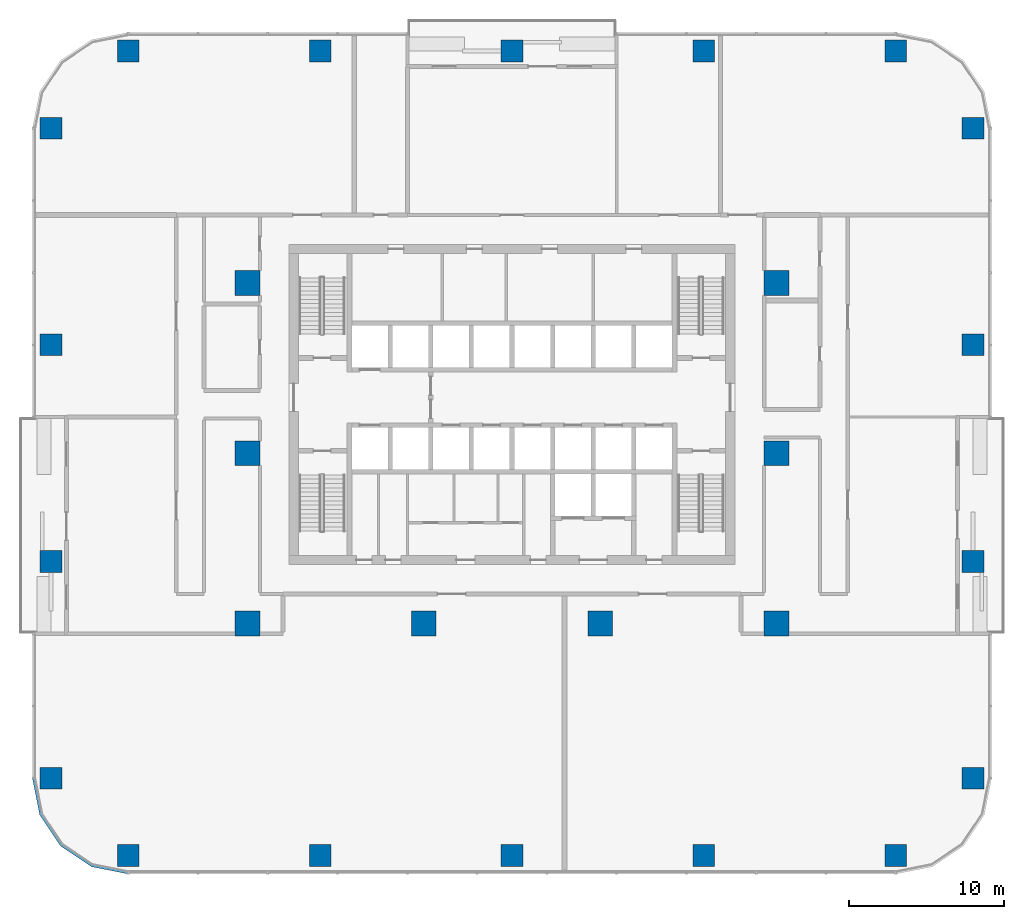
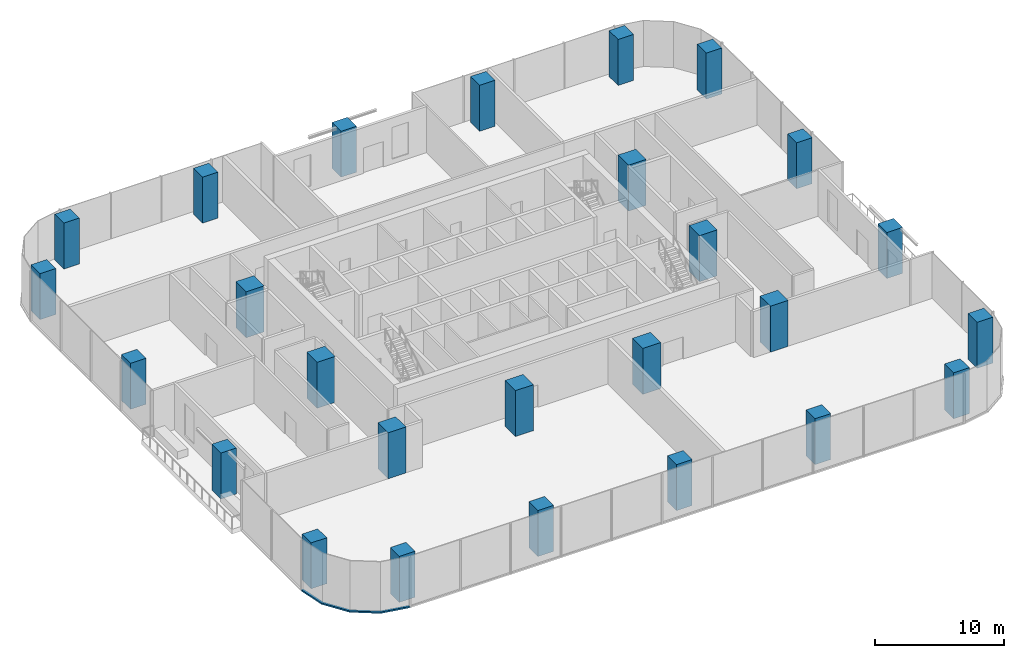
# One storey, part 1 of 14: 26 columns, 1 member, 1 element without a shape of its own.
"""IFC4 building model written with IfcOpenShell, lengths in metres."""

from ifc_helpers import new_model, si_unit, direction, frame, origin, origin_2d, place, context, subcontext, project, spatial, polyline, rectangle, outline, extrude, material, material_profile, profile_set, type_object, element, aggregate, save


model = new_model("IFC4")

# Units and contexts
model_context = context("Model", 3, precision=1e-05, world=origin(), true_north=direction((0.0, 1.0)))
body_context = subcontext(model_context, "Body", "Model", "MODEL_VIEW")
ifc_project = project(units=[si_unit("LENGTHUNIT", "METRE"), si_unit("AREAUNIT", "SQUARE_METRE"), si_unit("VOLUMEUNIT", "CUBIC_METRE"), si_unit("PLANEANGLEUNIT", "RADIAN"), si_unit("MASSUNIT", "GRAM", prefix="KILO")], contexts=[model_context])

# Site, building, storey
site_placement = place(None, origin())
site = spatial("IfcSite", under=ifc_project, at=site_placement, CompositionType="ELEMENT")
building_placement = place(site_placement, origin())
building = spatial("IfcBuilding", under=site, at=building_placement, Name="Mopane Tessera Tower", CompositionType="ELEMENT")
storey_placement = place(building_placement, frame((0.0, 0.0, 35.800048828125)))
storey = spatial("IfcBuildingStorey", under=building, at=storey_placement, Name="L06", CompositionType="ELEMENT", Elevation=35.800048828125)

# Columns
ifc_material_1 = material(Name="Concrete C60/75", Category="concrete")
ifc_material_profile_1 = material_profile(ifc_material_1, rectangle(XDim=1.60009765625, YDim=1.60009765625, at=origin_2d()))
ifc_profile_set_1 = profile_set([ifc_material_profile_1], Name="Concrete C60/75")
column_type_1 = type_object("IfcColumnType", Name="Interior column 1600 x 1600 C60/75", PredefinedType="COLUMN", material=ifc_profile_set_1)
for number, where, z_axis, x_axis, name in (
    (1, (-17.10009765625, -11.0, 0.0), (0.0, 0.0, 1.0), (1.0, 0.0, 0.0), "Interior column I1A L06"),
    (2, (-17.10009765625, 0.0, 0.0), (0.0, 0.0, 1.0), (1.0, 0.0, 0.0), "Interior column I1B L06"),
    (3, (-17.10009765625, 11.0, 0.0), (0.0, 0.0, 1.0), (1.0, 0.0, 0.0), "Interior column I1C L06"),
    (4, (-5.699951171875, -11.0, 0.0), (0.0, 0.0, 1.0), (1.0, 0.0, 0.0), "Interior column I2A L06"),
    (5, (5.699951171875, -11.0, 0.0), (0.0, 0.0, 1.0), (1.0, 0.0, 0.0), "Interior column I3A L06"),
    (6, (17.10009765625, -11.0, 0.0), (0.0, 0.0, 1.0), (1.0, 0.0, 0.0), "Interior column I4A L06"),
    (7, (17.10009765625, 0.0, 0.0), (0.0, 0.0, 1.0), (1.0, 0.0, 0.0), "Interior column I4B L06"),
    (8, (17.10009765625, 11.0, 0.0), (0.0, 0.0, 1.0), (1.0, 0.0, 0.0), "Interior column I4C L06"),
):
    element("IfcColumn", number, at=place(storey_placement, frame(where, z_axis=z_axis, x_axis=x_axis)), inside=storey, type_object=column_type_1, Name=name, PredefinedType="COLUMN", context=body_context, shape_type="SweptSolid", body=[
        extrude(rectangle(XDim=1.60009765625, YDim=1.60009765625, at=origin_2d()), origin(), (0.0, 0.0, 1.0), 4.349853515625),
    ])
ifc_material_2 = material(Name="Concrete C60/75", Category="concrete")
ifc_material_profile_2 = material_profile(ifc_material_2, rectangle(XDim=1.39990234375, YDim=1.39990234375, at=origin_2d()))
ifc_profile_set_2 = profile_set([ifc_material_profile_2], Name="Concrete C60/75")
column_type_2 = type_object("IfcColumnType", Name="Ring column 1400 x 1400 C60/75", PredefinedType="COLUMN", material=ifc_profile_set_2)
for number, where, z_axis, x_axis, name in (
    (9, (-24.800048828125, -26.0, 0.0), (0.0, 0.0, 1.0), (1.0, 0.0, 0.0), "Ring column S0 L06"),
    (10, (-12.39990234375, -26.0, 0.0), (0.0, 0.0, 1.0), (1.0, 0.0, 0.0), "Ring column S1 L06"),
    (11, (0.0, -26.0, 0.0), (0.0, 0.0, 1.0), (1.0, 0.0, 0.0), "Ring column S2 L06"),
    (12, (12.39990234375, -26.0, 0.0), (0.0, 0.0, 1.0), (1.0, 0.0, 0.0), "Ring column S3 L06"),
    (13, (24.800048828125, -26.0, 0.0), (0.0, 0.0, 1.0), (1.0, 0.0, 0.0), "Ring column S4 L06"),
    (14, (29.800048828125, -21.0, 0.0), (0.0, 0.0, 1.0), (1.0, 0.0, 0.0), "Ring column E0 L06"),
    (15, (29.800048828125, -7.0, 0.0), (0.0, 0.0, 1.0), (1.0, 0.0, 0.0), "Ring column E1 L06"),
    (16, (29.800048828125, 7.0, 0.0), (0.0, 0.0, 1.0), (1.0, 0.0, 0.0), "Ring column E2 L06"),
    (17, (29.800048828125, 21.0, 0.0), (0.0, 0.0, 1.0), (1.0, 0.0, 0.0), "Ring column E3 L06"),
    (18, (24.800048828125, 26.0, 0.0), (0.0, 0.0, 1.0), (1.0, 0.0, 0.0), "Ring column N0 L06"),
    (19, (12.39990234375, 26.0, 0.0), (0.0, 0.0, 1.0), (1.0, 0.0, 0.0), "Ring column N1 L06"),
    (20, (0.0, 26.0, 0.0), (0.0, 0.0, 1.0), (1.0, 0.0, 0.0), "Ring column N2 L06"),
    (21, (-12.39990234375, 26.0, 0.0), (0.0, 0.0, 1.0), (1.0, 0.0, 0.0), "Ring column N3 L06"),
    (22, (-24.800048828125, 26.0, 0.0), (0.0, 0.0, 1.0), (1.0, 0.0, 0.0), "Ring column N4 L06"),
    (23, (-29.800048828125, 21.0, 0.0), (0.0, 0.0, 1.0), (1.0, 0.0, 0.0), "Ring column W0 L06"),
    (24, (-29.800048828125, 7.0, 0.0), (0.0, 0.0, 1.0), (1.0, 0.0, 0.0), "Ring column W1 L06"),
    (25, (-29.800048828125, -7.0, 0.0), (0.0, 0.0, 1.0), (1.0, 0.0, 0.0), "Ring column W2 L06"),
    (26, (-29.800048828125, -21.0, 0.0), (0.0, 0.0, 1.0), (1.0, 0.0, 0.0), "Ring column W3 L06"),
):
    element("IfcColumn", number, at=place(storey_placement, frame(where, z_axis=z_axis, x_axis=x_axis)), inside=storey, type_object=column_type_2, Name=name, PredefinedType="COLUMN", context=body_context, shape_type="SweptSolid", body=[
        extrude(rectangle(XDim=1.39990234375, YDim=1.39990234375, at=origin_2d()), origin(), (0.0, 0.0, 1.0), 4.349853515625),
    ])

# Curtain wall, member
ifc_material_3 = material(Name="Aluminium frame", Category="aluminium")
curtain_wall_type = type_object("IfcCurtainWallType", Name="Lower tower unitised wall", PredefinedType="NOTDEFINED", material=ifc_material_3)
curtain_wall_placement = place(storey_placement, origin())
curtain_wall = element("IfcCurtainWall", 27, at=curtain_wall_placement, inside=storey, type_object=curtain_wall_type, Name="e:cw:L06:CW", PredefinedType="NOTDEFINED")
ifc_material_4 = material(Name="Aluminium frame", Category="aluminium")
ifc_material_profile_3 = material_profile(ifc_material_4, rectangle(XDim=0.199951171875, YDim=0.139892578125, at=origin_2d()))
ifc_profile_set_3 = profile_set([ifc_material_profile_3], Name="Aluminium frame")
member_type = type_object("IfcMemberType", Name="Aluminium transom 200 x 140", PredefinedType="USERDEFINED", material=ifc_profile_set_3)
member_placement = place(storey_placement, frame((0.0, 0.0, -0.449951171875)))
member = element("IfcMember", 28, at=member_placement, type_object=member_type, Name="e:cw:L06:CW:tr", ObjectType="TRANSOM", PredefinedType="USERDEFINED", context=body_context, shape_type="SweptSolid", body=[
    extrude(outline(polyline([(-30.800048828125, -21.0), (-30.34326171875, -23.296142578125), (-29.042724609375, -25.24267578125), (-27.09619140625, -26.543212890625), (-24.800048828125, -27.0), (-24.800048828125, -27.199951171875), (-27.172607421875, -26.72802734375), (-29.18408203125, -25.384033203125), (-30.528076171875, -23.37255859375), (-31.0, -21.0), (-30.800048828125, -21.0)])), origin(), (0.0, 0.0, 1.0), 0.139892578125),
])
aggregate(curtain_wall, [member])

save(model, "model.ifc")
